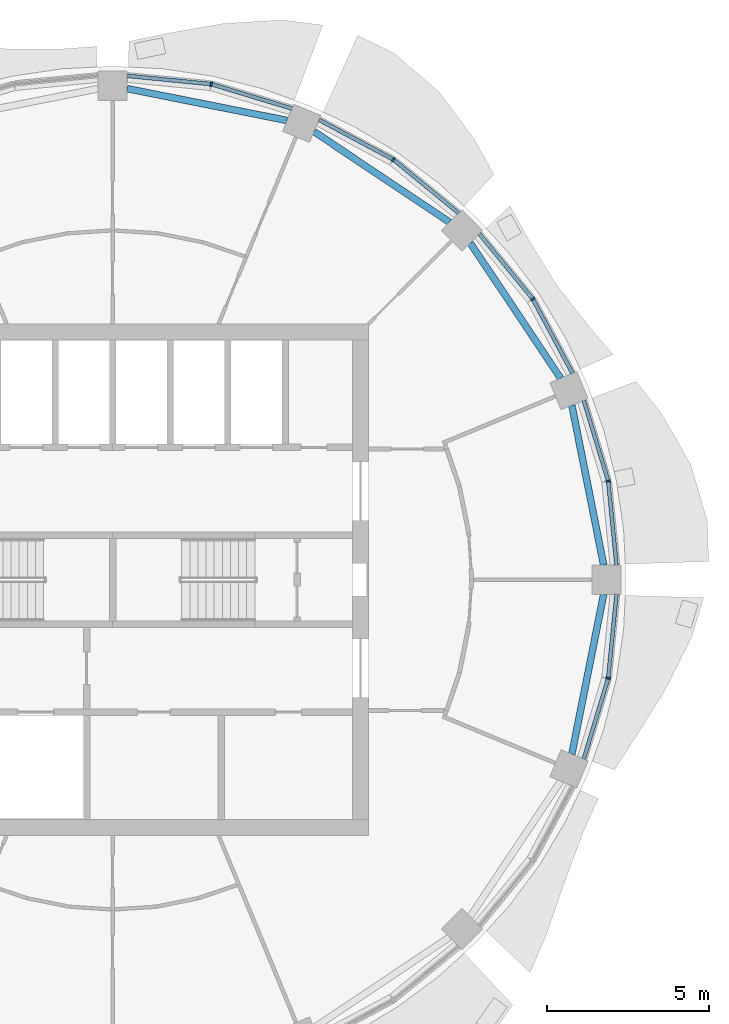
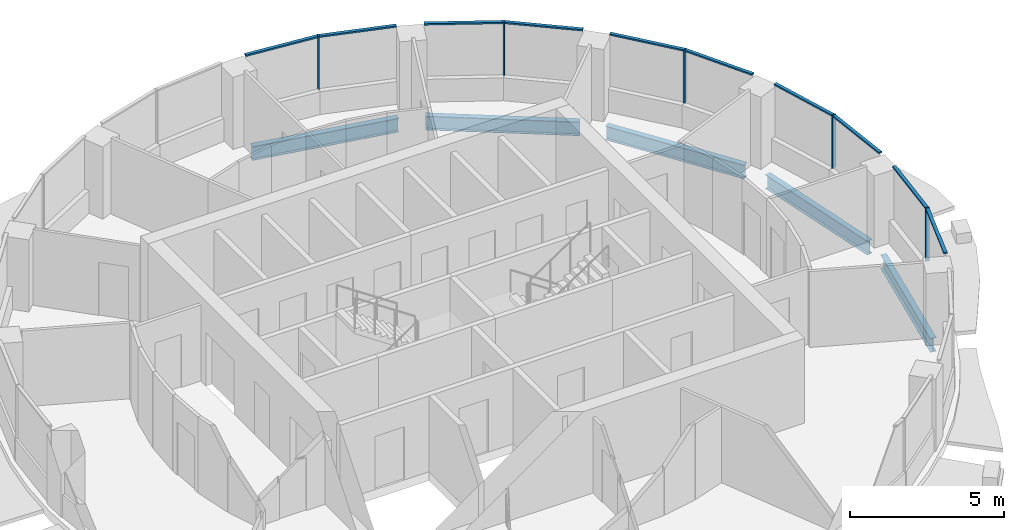
# One storey, part 5 of 14: 15 members, 5 beams, 5 elements without a shape of their own.
"""IFC4 building model written with IfcOpenShell, lengths in metres."""

from ifc_helpers import new_model, si_unit, direction, frame, origin, origin_2d, place, context, subcontext, project, spatial, rectangle, i_section, extrude, material, material_profile, profile_set, type_object, element, aggregate, save


model = new_model("IFC4")

# Units and contexts
model_context = context("Model", 3, precision=1e-05, world=origin(), true_north=direction((0.0, 1.0)))
body_context = subcontext(model_context, "Body", "Model", "MODEL_VIEW")
ifc_project = project(units=[si_unit("LENGTHUNIT", "METRE"), si_unit("AREAUNIT", "SQUARE_METRE"), si_unit("VOLUMEUNIT", "CUBIC_METRE"), si_unit("PLANEANGLEUNIT", "RADIAN"), si_unit("MASSUNIT", "GRAM", prefix="KILO")], contexts=[model_context])

# Site, building, storey
site_placement = place(None, origin())
site = spatial("IfcSite", under=ifc_project, at=site_placement, CompositionType="ELEMENT")
building_placement = place(site_placement, origin())
building = spatial("IfcBuilding", under=site, at=building_placement, Name="Polderwave Tower", CompositionType="ELEMENT")
storey_placement = place(building_placement, frame((0.0, 0.0, 221.14990234375)))
storey = spatial("IfcBuildingStorey", under=building, at=storey_placement, Name="L60", CompositionType="ELEMENT", Elevation=221.14990234375)

# Curtain wall, member
ifc_material_1 = material(Name="Aluminium 6063-T6 and glass", Category="aluminium")
curtain_wall_type = type_object("IfcCurtainWallType", Name="Office ribbon glazing wall", PredefinedType="NOTDEFINED", material=ifc_material_1)
curtain_wall_1_placement = place(storey_placement, origin())
curtain_wall_1 = element("IfcCurtainWall", 1, at=curtain_wall_1_placement, inside=storey, type_object=curtain_wall_type, Name="CW3 L60 00", PredefinedType="NOTDEFINED")
ifc_material_2 = material(Name="Aluminium 6063-T6", Category="aluminium")
ifc_material_profile_1 = material_profile(ifc_material_2, rectangle(XDim=0.139892578125, YDim=0.054931640625, at=origin_2d()), Name="AL 55x140")
ifc_profile_set_1 = profile_set([ifc_material_profile_1], Name="Aluminium 6063-T6")
member_type_1 = type_object("IfcMemberType", Name="Office ribbon glazing mullion 55x140", PredefinedType="MULLION", material=ifc_profile_set_1)
member_1_placement = place(storey_placement, frame((15.2509765625, 3.033935546875, 0.900146484375), z_axis=(0.0, 0.0, 1.0), x_axis=(-0.980784939905, -0.195092033809, 0.0)))
member_1 = element("IfcMember", 2, at=member_1_placement, type_object=member_type_1, Name="CW3 mullion 1", PredefinedType="MULLION", context=body_context, shape_type="SweptSolid", body=[
    extrude(rectangle(XDim=0.139892578125, YDim=0.054931640625, at=origin_2d()), origin(), (0.0, 0.0, 1.0), 2.099853515625),
])

curtain_wall_2_placement = place(storey_placement, origin())
curtain_wall_2 = element("IfcCurtainWall", 3, at=curtain_wall_2_placement, inside=storey, type_object=curtain_wall_type, Name="CW3 L60 01", PredefinedType="NOTDEFINED")
member_2_placement = place(storey_placement, frame((12.928955078125, 8.638916015625, 0.900146484375), z_axis=(0.0, 0.0, 1.0), x_axis=(-0.831430824157, -0.555628279195, 0.0)))
member_2 = element("IfcMember", 4, at=member_2_placement, type_object=member_type_1, Name="CW3 mullion 1", PredefinedType="MULLION", context=body_context, shape_type="SweptSolid", body=[
    extrude(rectangle(XDim=0.139892578125, YDim=0.054931640625, at=origin_2d()), origin(), (0.0, 0.0, 1.0), 2.099853515625),
])

curtain_wall_3_placement = place(storey_placement, origin())
curtain_wall_3 = element("IfcCurtainWall", 5, at=curtain_wall_3_placement, inside=storey, type_object=curtain_wall_type, Name="CW3 L60 02", PredefinedType="NOTDEFINED")
member_3_placement = place(storey_placement, frame((8.638916015625, 12.928955078125, 0.900146484375), z_axis=(0.0, 0.0, 1.0), x_axis=(-0.555628279195, -0.831430824157, 0.0)))
member_3 = element("IfcMember", 6, at=member_3_placement, type_object=member_type_1, Name="CW3 mullion 1", PredefinedType="MULLION", context=body_context, shape_type="SweptSolid", body=[
    extrude(rectangle(XDim=0.139892578125, YDim=0.054931640625, at=origin_2d()), origin(), (0.0, 0.0, 1.0), 2.099853515625),
])

curtain_wall_4_placement = place(storey_placement, origin())
curtain_wall_4 = element("IfcCurtainWall", 7, at=curtain_wall_4_placement, inside=storey, type_object=curtain_wall_type, Name="CW3 L60 03", PredefinedType="NOTDEFINED")
member_4_placement = place(storey_placement, frame((3.033935546875, 15.2509765625, 0.900146484375), z_axis=(0.0, 0.0, 1.0), x_axis=(-0.195092033809, -0.980784939905, 0.0)))
member_4 = element("IfcMember", 8, at=member_4_placement, type_object=member_type_1, Name="CW3 mullion 1", PredefinedType="MULLION", context=body_context, shape_type="SweptSolid", body=[
    extrude(rectangle(XDim=0.139892578125, YDim=0.054931640625, at=origin_2d()), origin(), (0.0, 0.0, 1.0), 2.099853515625),
])

curtain_wall_5_placement = place(storey_placement, origin())
curtain_wall_5 = element("IfcCurtainWall", 9, at=curtain_wall_5_placement, inside=storey, type_object=curtain_wall_type, Name="CW3 L60 15", PredefinedType="NOTDEFINED")
member_5_placement = place(storey_placement, frame((15.2509765625, -3.033935546875, 0.900146484375), z_axis=(0.0, 0.0, 1.0), x_axis=(-0.980784939905, 0.195092033809, 0.0)))
member_5 = element("IfcMember", 10, at=member_5_placement, type_object=member_type_1, Name="CW3 mullion 1", PredefinedType="MULLION", context=body_context, shape_type="SweptSolid", body=[
    extrude(rectangle(XDim=0.139892578125, YDim=0.054931640625, at=origin_2d()), origin(), (0.0, 0.0, 1.0), 2.099853515625),
])

# Member
ifc_material_profile_2 = material_profile(ifc_material_2, rectangle(XDim=0.1201171875, YDim=0.06005859375, at=origin_2d()), Name="AL 60x120")
ifc_profile_set_2 = profile_set([ifc_material_profile_2], Name="Aluminium 6063-T6")
member_type_2 = type_object("IfcMemberType", Name="Office ribbon glazing transom 60x120", PredefinedType="USERDEFINED", material=ifc_profile_set_2)
member_6_placement = place(storey_placement, frame((15.506103515625, 0.449951171875, 2.97021484375), z_axis=(-0.098261657218, 0.99516061353, 0.0), x_axis=(-0.99516061353, -0.098261657218, 0.0)))
member_6 = element("IfcMember", 11, at=member_6_placement, type_object=member_type_2, Name="CW3 transom 1", ObjectType="TRANSOM", PredefinedType="USERDEFINED", context=body_context, shape_type="SweptSolid", body=[
    extrude(rectangle(XDim=0.1201171875, YDim=0.06005859375, at=origin_2d()), origin(), (0.0, 0.0, 1.0), 2.569091796875),
])

member_7_placement = place(storey_placement, frame((15.242919921875, 3.060302734375, 2.97021484375), z_axis=(-0.290041695061, 0.95701400989, 0.0), x_axis=(-0.95701400989, -0.290041695061, 0.0)))
member_7 = element("IfcMember", 12, at=member_7_placement, type_object=member_type_2, Name="CW3 transom 2", ObjectType="TRANSOM", PredefinedType="USERDEFINED", context=body_context, shape_type="SweptSolid", body=[
    extrude(rectangle(XDim=0.1201171875, YDim=0.06005859375, at=origin_2d()), origin(), (0.0, 0.0, 1.0), 2.568115234375),
])

aggregate(curtain_wall_1, [member_1, member_6, member_7])

member_8_placement = place(storey_placement, frame((14.153076171875, 6.35009765625, 2.97021484375), z_axis=(-0.471609275387, 0.881807627189, 0.0), x_axis=(-0.881807627189, -0.471609275387, 0.0)))
member_8 = element("IfcMember", 13, at=member_8_placement, type_object=member_type_2, Name="CW3 transom 1", ObjectType="TRANSOM", PredefinedType="USERDEFINED", context=body_context, shape_type="SweptSolid", body=[
    extrude(rectangle(XDim=0.1201171875, YDim=0.06005859375, at=origin_2d()), origin(), (0.0, 0.0, 1.0), 2.568115234375),
])

member_9_placement = place(storey_placement, frame((12.91162109375, 8.660400390625, 2.97021484375), z_axis=(-0.634417102491, 0.772990905552, 0.0), x_axis=(-0.772990905552, -0.634417102491, 0.0)))
member_9 = element("IfcMember", 14, at=member_9_placement, type_object=member_type_2, Name="CW3 transom 2", ObjectType="TRANSOM", PredefinedType="USERDEFINED", context=body_context, shape_type="SweptSolid", body=[
    extrude(rectangle(XDim=0.1201171875, YDim=0.06005859375, at=origin_2d()), origin(), (0.0, 0.0, 1.0), 2.568603515625),
])

aggregate(curtain_wall_2, [member_2, member_8, member_9])

member_10_placement = place(storey_placement, frame((10.64599609375, 11.281982421875, 2.97021484375), z_axis=(-0.772990905552, 0.634417102491, 0.0), x_axis=(-0.634417102491, -0.772990905552, 0.0)))
member_10 = element("IfcMember", 15, at=member_10_placement, type_object=member_type_2, Name="CW3 transom 1", ObjectType="TRANSOM", PredefinedType="USERDEFINED", context=body_context, shape_type="SweptSolid", body=[
    extrude(rectangle(XDim=0.1201171875, YDim=0.06005859375, at=origin_2d()), origin(), (0.0, 0.0, 1.0), 2.568603515625),
])

member_11_placement = place(storey_placement, frame((8.61474609375, 12.94189453125, 2.97021484375), z_axis=(-0.881807627189, 0.471609275387, 0.0), x_axis=(-0.471609275387, -0.881807627189, 0.0)))
member_11 = element("IfcMember", 16, at=member_11_placement, type_object=member_type_2, Name="CW3 transom 2", ObjectType="TRANSOM", PredefinedType="USERDEFINED", context=body_context, shape_type="SweptSolid", body=[
    extrude(rectangle(XDim=0.1201171875, YDim=0.06005859375, at=origin_2d()), origin(), (0.0, 0.0, 1.0), 2.568115234375),
])

aggregate(curtain_wall_3, [member_3, member_10, member_11])

member_12_placement = place(storey_placement, frame((5.51806640625, 14.498046875, 2.97021484375), z_axis=(-0.95701400989, 0.290041695061, 0.0), x_axis=(-0.290041695061, -0.95701400989, 0.0)))
member_12 = element("IfcMember", 17, at=member_12_placement, type_object=member_type_2, Name="CW3 transom 1", ObjectType="TRANSOM", PredefinedType="USERDEFINED", context=body_context, shape_type="SweptSolid", body=[
    extrude(rectangle(XDim=0.1201171875, YDim=0.06005859375, at=origin_2d()), origin(), (0.0, 0.0, 1.0), 2.568115234375),
])

member_13_placement = place(storey_placement, frame((3.006591796875, 15.253662109375, 2.97021484375), z_axis=(-0.99516061353, 0.098261657218, 0.0), x_axis=(-0.098261657218, -0.99516061353, 0.0)))
member_13 = element("IfcMember", 18, at=member_13_placement, type_object=member_type_2, Name="CW3 transom 2", ObjectType="TRANSOM", PredefinedType="USERDEFINED", context=body_context, shape_type="SweptSolid", body=[
    extrude(rectangle(XDim=0.1201171875, YDim=0.06005859375, at=origin_2d()), origin(), (0.0, 0.0, 1.0), 2.569091796875),
])

aggregate(curtain_wall_4, [member_4, member_12, member_13])

member_14_placement = place(storey_placement, frame((14.498046875, -5.51806640625, 2.97021484375), z_axis=(0.290041695061, 0.95701400989, 0.0), x_axis=(-0.95701400989, 0.290041695061, 0.0)))
member_14 = element("IfcMember", 19, at=member_14_placement, type_object=member_type_2, Name="CW3 transom 1", ObjectType="TRANSOM", PredefinedType="USERDEFINED", context=body_context, shape_type="SweptSolid", body=[
    extrude(rectangle(XDim=0.1201171875, YDim=0.06005859375, at=origin_2d()), origin(), (0.0, 0.0, 1.0), 2.568115234375),
])

member_15_placement = place(storey_placement, frame((15.253662109375, -3.006591796875, 2.97021484375), z_axis=(0.098261657218, 0.99516061353, 0.0), x_axis=(-0.99516061353, 0.098261657218, 0.0)))
member_15 = element("IfcMember", 20, at=member_15_placement, type_object=member_type_2, Name="CW3 transom 2", ObjectType="TRANSOM", PredefinedType="USERDEFINED", context=body_context, shape_type="SweptSolid", body=[
    extrude(rectangle(XDim=0.1201171875, YDim=0.06005859375, at=origin_2d()), origin(), (0.0, 0.0, 1.0), 2.569091796875),
])

aggregate(curtain_wall_5, [member_5, member_14, member_15])

# Beams
ifc_material_3 = material(Name="Steel S355", Category="steel")
ifc_material_profile_3 = material_profile(ifc_material_3, i_section(OverallWidth=0.2099609375, OverallDepth=0.550048828125, WebThickness=0.010986328125, FlangeThickness=0.01708984375, at=origin_2d()), Name="IPE 550")
ifc_profile_set_3 = profile_set([ifc_material_profile_3], Name="Steel S355")
beam_type = type_object("IfcBeamType", Name="RING BEAM IPE 550", PredefinedType="BEAM", material=ifc_profile_set_3)
for number, where, z_axis, x_axis, name in (
    (21, (15.110595703125, 0.449951171875, -0.625), (-0.195095186313, 0.980784312822, 0.0), (-0.980784312822, -0.195095186313, 0.0), "ST-RB-L60-00"),
    (22, (13.7880859375, 6.1982421875, -0.625), (-0.555576499258, 0.831465425301, 0.0), (-0.831465425301, -0.555576499258, 0.0), "ST-RB-L60-01"),
    (23, (10.366455078125, 11.0029296875, -0.625), (-0.831465425301, 0.555576499258, 0.0), (-0.555576499258, -0.831465425301, 0.0), "ST-RB-L60-02"),
    (24, (5.36669921875, 14.132568359375, -0.625), (-0.980784312822, 0.195095186313, 0.0), (-0.195095186313, -0.980784312822, 0.0), "ST-RB-L60-03"),
    (25, (14.132568359375, -5.36669921875, -0.625), (0.195095186313, 0.980784312822, 0.0), (-0.980784312822, 0.195095186313, 0.0), "ST-RB-L60-15"),
):
    element("IfcBeam", number, at=place(storey_placement, frame(where, z_axis=z_axis, x_axis=x_axis)), inside=storey, type_object=beam_type, Name=name, PredefinedType="BEAM", context=body_context, shape_type="SweptSolid", body=[
        extrude(i_section(OverallWidth=0.2099609375, OverallDepth=0.550048828125, WebThickness=0.010986328125, FlangeThickness=0.01708984375, at=origin_2d()), origin(), (0.0, 0.0, 1.0), 5.01318359375),
    ])

save(model, "model.ifc")
